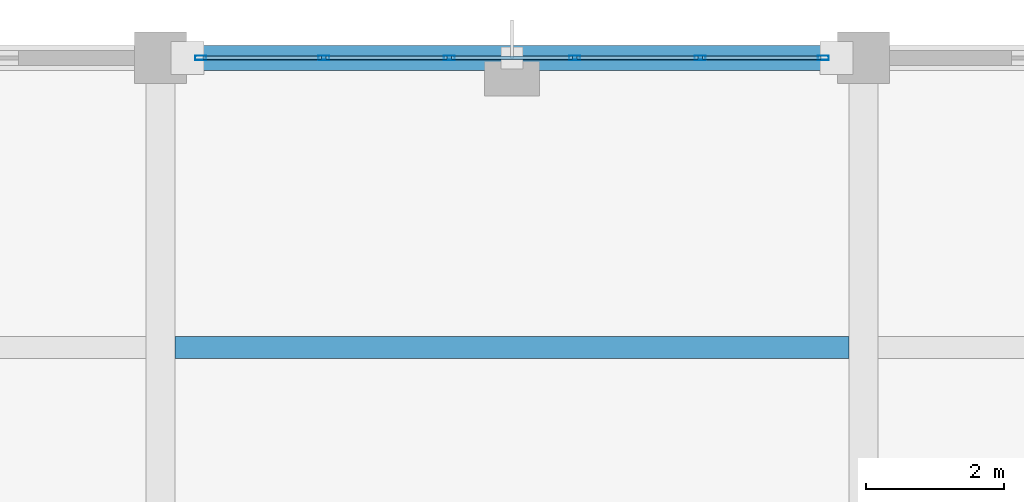
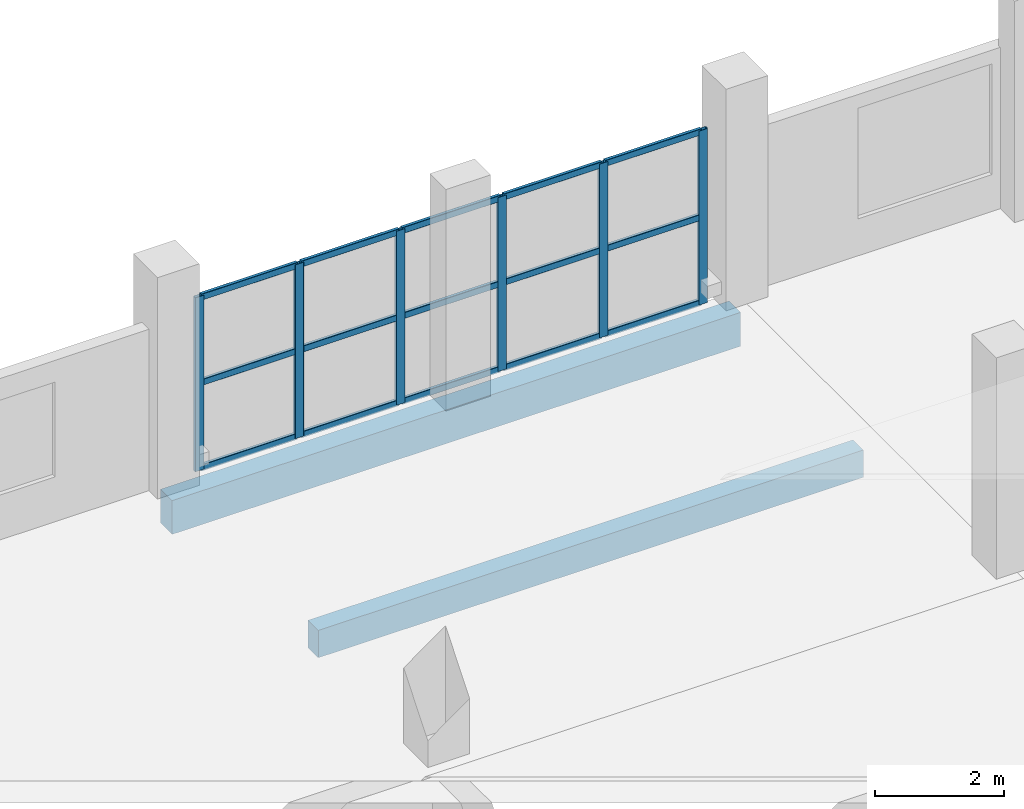
# One storey, part 93 of 157: 21 members, 2 beams, 1 element without a shape of its own.
"""IFC4 building model written with IfcOpenShell, lengths in metres."""

from ifc_helpers import new_model, si_unit, direction, frame, origin, origin_2d, place, context, subcontext, project, spatial, rectangle, hollow_rectangle, extrude, material, material_profile, profile_set, type_object, element, aggregate, save


model = new_model("IFC4")

# Units and contexts
model_context = context("Model", 3, precision=1e-05, world=origin(), true_north=direction((0.0, 1.0)))
body_context = subcontext(model_context, "Body", "Model", "MODEL_VIEW")
ifc_project = project(units=[si_unit("LENGTHUNIT", "METRE"), si_unit("AREAUNIT", "SQUARE_METRE"), si_unit("VOLUMEUNIT", "CUBIC_METRE"), si_unit("PLANEANGLEUNIT", "RADIAN"), si_unit("MASSUNIT", "GRAM", prefix="KILO")], contexts=[model_context])

# Site, building, storey
site_placement = place(None, origin())
site = spatial("IfcSite", under=ifc_project, at=site_placement, CompositionType="ELEMENT")
building_placement = place(site_placement, origin())
building = spatial("IfcBuilding", under=site, at=building_placement, Name="Brelvane Convention Centre", CompositionType="ELEMENT")
storey_placement = place(building_placement, frame((0.0, 0.0, 10.800048828125)))
storey = spatial("IfcBuildingStorey", under=building, at=storey_placement, Name="L02", CompositionType="ELEMENT", Elevation=10.800048828125)

# Curtain wall, members
ifc_material_1 = material(Name="Anodised Aluminium Alloy 6063-T6", Category="aluminium")
curtain_wall_type = type_object("IfcCurtainWallType", Name="Curtain Wall CW-BOUL", PredefinedType="USERDEFINED", material=ifc_material_1)
curtain_wall_placement = place(storey_placement, origin())
curtain_wall = element("IfcCurtainWall", 1, at=curtain_wall_placement, inside=storey, type_object=curtain_wall_type, Name="Curtain Wall CW-BOUL L02-V4N-06", ObjectType="UNITISED", PredefinedType="USERDEFINED")
ifc_material_2 = material(Name="Anodised Aluminium Alloy 6063-T6", Category="aluminium")
ifc_material_profile_1 = material_profile(ifc_material_2, hollow_rectangle(XDim=0.06494140625, YDim=0.159912109375, WallThickness=0.00390625, InnerFilletRadius=0.00390625, OuterFilletRadius=0.008056640625, at=origin_2d()), Name="ALU-M 160x65x4.0")
ifc_profile_set_1 = profile_set([ifc_material_profile_1], Name="Anodised Aluminium Alloy 6063-T6")
member_type_1 = type_object("IfcMemberType", Name="Curtain Mullion CW-M3", PredefinedType="MULLION", material=ifc_profile_set_1)
member_1_placement = place(storey_placement, frame((51.58251953125, 144.0, 0.0), z_axis=(0.0, 0.0, 1.0), x_axis=(0.0, 1.0, 0.0)))
member_1 = element("IfcMember", 2, at=member_1_placement, type_object=member_type_1, Name="CW-BOUL mullion 1", PredefinedType="MULLION", context=body_context, shape_type="SweptSolid", body=[
    extrude(hollow_rectangle(XDim=0.06494140625, YDim=0.159912109375, WallThickness=0.00390625, InnerFilletRadius=0.00390625, OuterFilletRadius=0.008056640625, at=origin_2d()), origin(), (0.0, 0.0, 1.0), 3.300048828125),
])
member_2_placement = place(storey_placement, frame((53.3701171875, 144.0, 0.0), z_axis=(0.0, 0.0, 1.0), x_axis=(0.0, 1.0, 0.0)))
member_2 = element("IfcMember", 3, at=member_2_placement, type_object=member_type_1, Name="CW-BOUL mullion 2", PredefinedType="MULLION", context=body_context, shape_type="SweptSolid", body=[
    extrude(hollow_rectangle(XDim=0.06494140625, YDim=0.159912109375, WallThickness=0.00390625, InnerFilletRadius=0.00390625, OuterFilletRadius=0.008056640625, at=origin_2d()), origin(), (0.0, 0.0, 1.0), 3.300048828125),
])
member_3_placement = place(storey_placement, frame((55.18994140625, 144.0, 0.0), z_axis=(0.0, 0.0, 1.0), x_axis=(0.0, 1.0, 0.0)))
member_3 = element("IfcMember", 4, at=member_3_placement, type_object=member_type_1, Name="CW-BOUL mullion 3", PredefinedType="MULLION", context=body_context, shape_type="SweptSolid", body=[
    extrude(hollow_rectangle(XDim=0.06494140625, YDim=0.159912109375, WallThickness=0.00390625, InnerFilletRadius=0.00390625, OuterFilletRadius=0.008056640625, at=origin_2d()), origin(), (0.0, 0.0, 1.0), 3.300048828125),
])
member_4_placement = place(storey_placement, frame((57.010009765625, 144.0, 0.0), z_axis=(0.0, 0.0, 1.0), x_axis=(0.0, 1.0, 0.0)))
member_4 = element("IfcMember", 5, at=member_4_placement, type_object=member_type_1, Name="CW-BOUL mullion 4", PredefinedType="MULLION", context=body_context, shape_type="SweptSolid", body=[
    extrude(hollow_rectangle(XDim=0.06494140625, YDim=0.159912109375, WallThickness=0.00390625, InnerFilletRadius=0.00390625, OuterFilletRadius=0.008056640625, at=origin_2d()), origin(), (0.0, 0.0, 1.0), 3.300048828125),
])
member_5_placement = place(storey_placement, frame((58.830078125, 144.0, 0.0), z_axis=(0.0, 0.0, 1.0), x_axis=(0.0, 1.0, 0.0)))
member_5 = element("IfcMember", 6, at=member_5_placement, type_object=member_type_1, Name="CW-BOUL mullion 5", PredefinedType="MULLION", context=body_context, shape_type="SweptSolid", body=[
    extrude(hollow_rectangle(XDim=0.06494140625, YDim=0.159912109375, WallThickness=0.00390625, InnerFilletRadius=0.00390625, OuterFilletRadius=0.008056640625, at=origin_2d()), origin(), (0.0, 0.0, 1.0), 3.300048828125),
])
member_6_placement = place(storey_placement, frame((60.617431640625, 144.0, 0.0), z_axis=(0.0, 0.0, 1.0), x_axis=(0.0, 1.0, 0.0)))
member_6 = element("IfcMember", 7, at=member_6_placement, type_object=member_type_1, Name="CW-BOUL mullion 6", PredefinedType="MULLION", context=body_context, shape_type="SweptSolid", body=[
    extrude(hollow_rectangle(XDim=0.06494140625, YDim=0.159912109375, WallThickness=0.00390625, InnerFilletRadius=0.00390625, OuterFilletRadius=0.008056640625, at=origin_2d()), origin(), (0.0, 0.0, 1.0), 3.300048828125),
])
ifc_material_3 = material(Name="Anodised Aluminium Alloy 6063-T6", Category="aluminium")
ifc_material_profile_2 = material_profile(ifc_material_3, hollow_rectangle(XDim=0.06005859375, YDim=0.1201171875, WallThickness=0.00390625, InnerFilletRadius=0.00390625, OuterFilletRadius=0.008056640625, at=origin_2d()), Name="ALU-T 120x60x4.0")
ifc_profile_set_2 = profile_set([ifc_material_profile_2], Name="Anodised Aluminium Alloy 6063-T6")
member_type_2 = type_object("IfcMemberType", Name="Curtain Transom CW-T3", PredefinedType="USERDEFINED", material=ifc_profile_set_2)
member_7_placement = place(storey_placement, frame((51.614990234375, 144.0, 0.030029296875), z_axis=(1.0, 0.0, 0.0), x_axis=(0.0, 1.0, 0.0)))
member_7 = element("IfcMember", 8, at=member_7_placement, type_object=member_type_2, Name="CW-BOUL transom 1.1", ObjectType="TRANSOM", PredefinedType="USERDEFINED", context=body_context, shape_type="SweptSolid", body=[
    extrude(hollow_rectangle(XDim=0.06005859375, YDim=0.1201171875, WallThickness=0.00390625, InnerFilletRadius=0.00390625, OuterFilletRadius=0.008056640625, at=origin_2d()), origin(), (0.0, 0.0, 1.0), 1.722412109375),
])
member_8_placement = place(storey_placement, frame((51.614990234375, 144.0, 1.64990234375), z_axis=(1.0, 0.0, 0.0), x_axis=(0.0, 1.0, 0.0)))
member_8 = element("IfcMember", 9, at=member_8_placement, type_object=member_type_2, Name="CW-BOUL transom 1.2", ObjectType="TRANSOM", PredefinedType="USERDEFINED", context=body_context, shape_type="SweptSolid", body=[
    extrude(hollow_rectangle(XDim=0.06005859375, YDim=0.1201171875, WallThickness=0.00390625, InnerFilletRadius=0.00390625, OuterFilletRadius=0.008056640625, at=origin_2d()), origin(), (0.0, 0.0, 1.0), 1.722412109375),
])
member_9_placement = place(storey_placement, frame((51.614990234375, 144.0, 3.27001953125), z_axis=(1.0, 0.0, 0.0), x_axis=(0.0, 1.0, 0.0)))
member_9 = element("IfcMember", 10, at=member_9_placement, type_object=member_type_2, Name="CW-BOUL transom 1.3", ObjectType="TRANSOM", PredefinedType="USERDEFINED", context=body_context, shape_type="SweptSolid", body=[
    extrude(hollow_rectangle(XDim=0.06005859375, YDim=0.1201171875, WallThickness=0.00390625, InnerFilletRadius=0.00390625, OuterFilletRadius=0.008056640625, at=origin_2d()), origin(), (0.0, 0.0, 1.0), 1.722412109375),
])
member_10_placement = place(storey_placement, frame((53.402587890625, 144.0, 0.030029296875), z_axis=(1.0, 0.0, 0.0), x_axis=(0.0, 1.0, 0.0)))
member_10 = element("IfcMember", 11, at=member_10_placement, type_object=member_type_2, Name="CW-BOUL transom 2.1", ObjectType="TRANSOM", PredefinedType="USERDEFINED", context=body_context, shape_type="SweptSolid", body=[
    extrude(hollow_rectangle(XDim=0.06005859375, YDim=0.1201171875, WallThickness=0.00390625, InnerFilletRadius=0.00390625, OuterFilletRadius=0.008056640625, at=origin_2d()), origin(), (0.0, 0.0, 1.0), 1.7548828125),
])
member_11_placement = place(storey_placement, frame((53.402587890625, 144.0, 1.64990234375), z_axis=(1.0, 0.0, 0.0), x_axis=(0.0, 1.0, 0.0)))
member_11 = element("IfcMember", 12, at=member_11_placement, type_object=member_type_2, Name="CW-BOUL transom 2.2", ObjectType="TRANSOM", PredefinedType="USERDEFINED", context=body_context, shape_type="SweptSolid", body=[
    extrude(hollow_rectangle(XDim=0.06005859375, YDim=0.1201171875, WallThickness=0.00390625, InnerFilletRadius=0.00390625, OuterFilletRadius=0.008056640625, at=origin_2d()), origin(), (0.0, 0.0, 1.0), 1.7548828125),
])
member_12_placement = place(storey_placement, frame((53.402587890625, 144.0, 3.27001953125), z_axis=(1.0, 0.0, 0.0), x_axis=(0.0, 1.0, 0.0)))
member_12 = element("IfcMember", 13, at=member_12_placement, type_object=member_type_2, Name="CW-BOUL transom 2.3", ObjectType="TRANSOM", PredefinedType="USERDEFINED", context=body_context, shape_type="SweptSolid", body=[
    extrude(hollow_rectangle(XDim=0.06005859375, YDim=0.1201171875, WallThickness=0.00390625, InnerFilletRadius=0.00390625, OuterFilletRadius=0.008056640625, at=origin_2d()), origin(), (0.0, 0.0, 1.0), 1.7548828125),
])
member_13_placement = place(storey_placement, frame((55.222412109375, 144.0, 0.030029296875), z_axis=(1.0, 0.0, 0.0), x_axis=(0.0, 1.0, 0.0)))
member_13 = element("IfcMember", 14, at=member_13_placement, type_object=member_type_2, Name="CW-BOUL transom 3.1", ObjectType="TRANSOM", PredefinedType="USERDEFINED", context=body_context, shape_type="SweptSolid", body=[
    extrude(hollow_rectangle(XDim=0.06005859375, YDim=0.1201171875, WallThickness=0.00390625, InnerFilletRadius=0.00390625, OuterFilletRadius=0.008056640625, at=origin_2d()), origin(), (0.0, 0.0, 1.0), 1.755126953125),
])
member_14_placement = place(storey_placement, frame((55.222412109375, 144.0, 1.64990234375), z_axis=(1.0, 0.0, 0.0), x_axis=(0.0, 1.0, 0.0)))
member_14 = element("IfcMember", 15, at=member_14_placement, type_object=member_type_2, Name="CW-BOUL transom 3.2", ObjectType="TRANSOM", PredefinedType="USERDEFINED", context=body_context, shape_type="SweptSolid", body=[
    extrude(hollow_rectangle(XDim=0.06005859375, YDim=0.1201171875, WallThickness=0.00390625, InnerFilletRadius=0.00390625, OuterFilletRadius=0.008056640625, at=origin_2d()), origin(), (0.0, 0.0, 1.0), 1.755126953125),
])
member_15_placement = place(storey_placement, frame((55.222412109375, 144.0, 3.27001953125), z_axis=(1.0, 0.0, 0.0), x_axis=(0.0, 1.0, 0.0)))
member_15 = element("IfcMember", 16, at=member_15_placement, type_object=member_type_2, Name="CW-BOUL transom 3.3", ObjectType="TRANSOM", PredefinedType="USERDEFINED", context=body_context, shape_type="SweptSolid", body=[
    extrude(hollow_rectangle(XDim=0.06005859375, YDim=0.1201171875, WallThickness=0.00390625, InnerFilletRadius=0.00390625, OuterFilletRadius=0.008056640625, at=origin_2d()), origin(), (0.0, 0.0, 1.0), 1.755126953125),
])
member_16_placement = place(storey_placement, frame((57.04248046875, 144.0, 0.030029296875), z_axis=(1.0, 0.0, 0.0), x_axis=(0.0, 1.0, 0.0)))
member_16 = element("IfcMember", 17, at=member_16_placement, type_object=member_type_2, Name="CW-BOUL transom 4.1", ObjectType="TRANSOM", PredefinedType="USERDEFINED", context=body_context, shape_type="SweptSolid", body=[
    extrude(hollow_rectangle(XDim=0.06005859375, YDim=0.1201171875, WallThickness=0.00390625, InnerFilletRadius=0.00390625, OuterFilletRadius=0.008056640625, at=origin_2d()), origin(), (0.0, 0.0, 1.0), 1.755126953125),
])
member_17_placement = place(storey_placement, frame((57.04248046875, 144.0, 1.64990234375), z_axis=(1.0, 0.0, 0.0), x_axis=(0.0, 1.0, 0.0)))
member_17 = element("IfcMember", 18, at=member_17_placement, type_object=member_type_2, Name="CW-BOUL transom 4.2", ObjectType="TRANSOM", PredefinedType="USERDEFINED", context=body_context, shape_type="SweptSolid", body=[
    extrude(hollow_rectangle(XDim=0.06005859375, YDim=0.1201171875, WallThickness=0.00390625, InnerFilletRadius=0.00390625, OuterFilletRadius=0.008056640625, at=origin_2d()), origin(), (0.0, 0.0, 1.0), 1.755126953125),
])
member_18_placement = place(storey_placement, frame((57.04248046875, 144.0, 3.27001953125), z_axis=(1.0, 0.0, 0.0), x_axis=(0.0, 1.0, 0.0)))
member_18 = element("IfcMember", 19, at=member_18_placement, type_object=member_type_2, Name="CW-BOUL transom 4.3", ObjectType="TRANSOM", PredefinedType="USERDEFINED", context=body_context, shape_type="SweptSolid", body=[
    extrude(hollow_rectangle(XDim=0.06005859375, YDim=0.1201171875, WallThickness=0.00390625, InnerFilletRadius=0.00390625, OuterFilletRadius=0.008056640625, at=origin_2d()), origin(), (0.0, 0.0, 1.0), 1.755126953125),
])
member_19_placement = place(storey_placement, frame((58.862548828125, 144.0, 0.030029296875), z_axis=(1.0, 0.0, 0.0), x_axis=(0.0, 1.0, 0.0)))
member_19 = element("IfcMember", 20, at=member_19_placement, type_object=member_type_2, Name="CW-BOUL transom 5.1", ObjectType="TRANSOM", PredefinedType="USERDEFINED", context=body_context, shape_type="SweptSolid", body=[
    extrude(hollow_rectangle(XDim=0.06005859375, YDim=0.1201171875, WallThickness=0.00390625, InnerFilletRadius=0.00390625, OuterFilletRadius=0.008056640625, at=origin_2d()), origin(), (0.0, 0.0, 1.0), 1.722412109375),
])
member_20_placement = place(storey_placement, frame((58.862548828125, 144.0, 1.64990234375), z_axis=(1.0, 0.0, 0.0), x_axis=(0.0, 1.0, 0.0)))
member_20 = element("IfcMember", 21, at=member_20_placement, type_object=member_type_2, Name="CW-BOUL transom 5.2", ObjectType="TRANSOM", PredefinedType="USERDEFINED", context=body_context, shape_type="SweptSolid", body=[
    extrude(hollow_rectangle(XDim=0.06005859375, YDim=0.1201171875, WallThickness=0.00390625, InnerFilletRadius=0.00390625, OuterFilletRadius=0.008056640625, at=origin_2d()), origin(), (0.0, 0.0, 1.0), 1.722412109375),
])
member_21_placement = place(storey_placement, frame((58.862548828125, 144.0, 3.27001953125), z_axis=(1.0, 0.0, 0.0), x_axis=(0.0, 1.0, 0.0)))
member_21 = element("IfcMember", 22, at=member_21_placement, type_object=member_type_2, Name="CW-BOUL transom 5.3", ObjectType="TRANSOM", PredefinedType="USERDEFINED", context=body_context, shape_type="SweptSolid", body=[
    extrude(hollow_rectangle(XDim=0.06005859375, YDim=0.1201171875, WallThickness=0.00390625, InnerFilletRadius=0.00390625, OuterFilletRadius=0.008056640625, at=origin_2d()), origin(), (0.0, 0.0, 1.0), 1.722412109375),
])
aggregate(curtain_wall, [member_1, member_2, member_3, member_4, member_5, member_6, member_7, member_8, member_9, member_10, member_11, member_12, member_13, member_14, member_15, member_16, member_17, member_18, member_19, member_20, member_21])

# Beams
ifc_material_4 = material(Name="Concrete M40", Category="concrete")
ifc_material_profile_3 = material_profile(ifc_material_4, rectangle(XDim=0.320068359375, YDim=0.52001953125, at=origin_2d()), Name="RC 320x520")
ifc_profile_set_3 = profile_set([ifc_material_profile_3], Name="Concrete M40")
beam_type_1 = type_object("IfcBeamType", Name="RC Joist J-RC4 (RC 320x520)", PredefinedType="JOIST", material=ifc_profile_set_3)
beam_1_placement = place(storey_placement, frame((51.2099609375, 139.800048828125, -0.5400390625), z_axis=(1.0, 0.0, 0.0), x_axis=(0.0, 1.0, 0.0)))
element("IfcBeam", 23, at=beam_1_placement, inside=storey, type_object=beam_type_1, Name="L02 Secondary Joist 6-7/PQ", PredefinedType="JOIST", context=body_context, shape_type="SweptSolid", body=[
    extrude(rectangle(XDim=0.320068359375, YDim=0.52001953125, at=origin_2d()), origin(), (0.0, 0.0, 1.0), 9.780029296875),
])
ifc_material_5 = material(Name="Concrete M40", Category="concrete")
ifc_material_profile_4 = material_profile(ifc_material_5, rectangle(XDim=0.360107421875, YDim=0.639892578125, at=origin_2d()), Name="RC 360x640")
ifc_profile_set_4 = profile_set([ifc_material_profile_4], Name="Concrete M40")
beam_type_2 = type_object("IfcBeamType", Name="RC Spandrel SP-RC3 (RC 360x640)", PredefinedType="SPANDREL", material=ifc_profile_set_4)
beam_2_placement = place(storey_placement, frame((51.0, 144.0, -0.60009765625), z_axis=(1.0, 0.0, 0.0), x_axis=(0.0, 1.0, 0.0)))
element("IfcBeam", 24, at=beam_2_placement, inside=storey, type_object=beam_type_2, Name="L02 Beam 6-7/Q", PredefinedType="SPANDREL", context=body_context, shape_type="SweptSolid", body=[
    extrude(rectangle(XDim=0.360107421875, YDim=0.639892578125, at=origin_2d()), origin(), (0.0, 0.0, 1.0), 10.199951171875),
])

save(model, "model.ifc")
